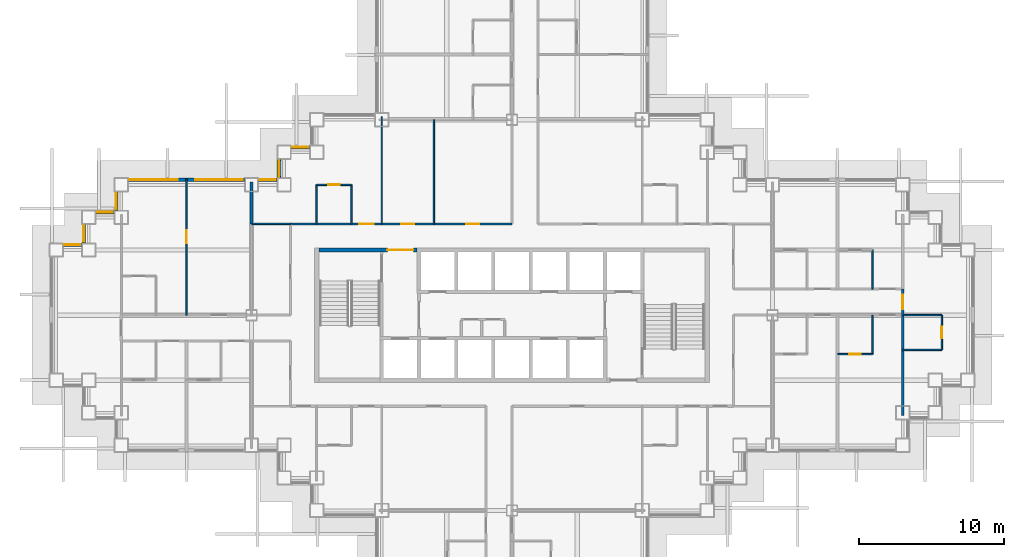
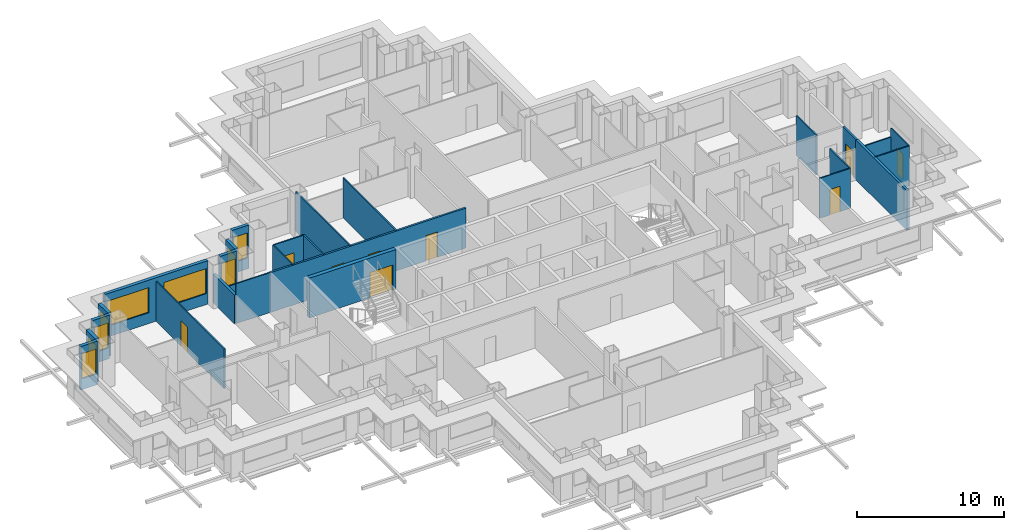
# One storey, part 7 of 15: 26 walls, 9 doors, 9 windows, 18 openings.
"""IFC4 building model written with IfcOpenShell, lengths in metres."""

import ifcopenshell
import ifcopenshell.guid

model = None  # the IFC model being written
_history = None  # IfcOwnerHistory: only IFC2X3 demands one
_inside = {}  # id of a spatial element -> (the spatial element, [elements in it])
_under = {}  # id of a project, library or spatial element -> (it, [spatial elements below it])
_declared = {}  # id of a project -> (the project, [libraries it declares])
_typed = {}  # id of a type object -> (the type object, [elements of that type])
_made_of = {}  # id of a material, layer set ... -> (it, [elements and type objects made of it])


def new_model(schema):
    """Start an empty IFC model of exactly this schema.

    Asked for "IFC4X3", IfcOpenShell would pick the latest addendum, in which some entities
    have other attributes; the version numbers below select the first issue.
    IFC2X3 requires an IfcOwnerHistory on every rooted entity: one is made here for all.
    """
    global model, _history
    if schema == "IFC4X3":
        model = ifcopenshell.file(schema_version=(4, 3, 0, 0))
    else:
        model = ifcopenshell.file(schema=schema)
    _inside.clear()
    _under.clear()
    _declared.clear()
    _typed.clear()
    _made_of.clear()
    _history = None
    if model.schema == "IFC2X3":
        org = make("IfcOrganization", Name="unknown")
        user = make(
            "IfcPersonAndOrganization",
            ThePerson=make("IfcPerson", FamilyName="unknown"),
            TheOrganization=org,
        )
        app = make(
            "IfcApplication",
            ApplicationDeveloper=org,
            Version="unknown",
            ApplicationFullName="unknown",
            ApplicationIdentifier="unknown",
        )
        _history = make(
            "IfcOwnerHistory",
            OwningUser=user,
            OwningApplication=app,
            ChangeAction="ADDED",
            CreationDate=0,
        )
    return model


def make(cls, **values):
    """One entity of the class cls with the attributes given. An attribute that is None is left unset."""
    return model.create_entity(
        cls, **{name: value for name, value in values.items() if value is not None}
    )


def rooted(cls, **values):
    """An entity with a GlobalId (a new one), such as an element, a storey or a relation."""
    return make(cls, GlobalId=ifcopenshell.guid.new(), OwnerHistory=_history, **values)


def si_unit(unit_type, name, prefix=None):
    """IfcSIUnit, for example si_unit("LENGTHUNIT", "METRE", prefix="MILLI")."""
    return make("IfcSIUnit", UnitType=unit_type, Prefix=prefix, Name=name)


def assignment(units):
    """IfcUnitAssignment: the units of a project."""
    return None if units is None else make("IfcUnitAssignment", Units=units)


def point(xyz):
    """IfcCartesianPoint."""
    return None if xyz is None else make("IfcCartesianPoint", Coordinates=xyz)


def direction(xyz):
    """IfcDirection."""
    return None if xyz is None else make("IfcDirection", DirectionRatios=xyz)


def frame(location, z_axis=None, x_axis=None):
    """IfcAxis2Placement3D, a coordinate frame: its origin and axes. An axis left out is left unset."""
    return make(
        "IfcAxis2Placement3D",
        Location=point(location),
        Axis=direction(z_axis),
        RefDirection=direction(x_axis),
    )


def frame_2d(location, x_axis=None):
    """IfcAxis2Placement2D, a coordinate frame in the plane: its origin and x axis."""
    return make(
        "IfcAxis2Placement2D", Location=point(location), RefDirection=direction(x_axis)
    )


def origin():
    """The frame at (0, 0, 0) with its axes left unset."""
    return frame((0.0, 0.0, 0.0))


def place(relative_to, where):
    """IfcLocalPlacement: puts the frame where relative to a parent placement (None: the world)."""
    return make(
        "IfcLocalPlacement", PlacementRelTo=relative_to, RelativePlacement=where
    )


def context(
    kind, dimensions, precision=None, world=None, true_north=None, identifier=None
):
    """IfcGeometricRepresentationContext, for example the 3D "Model" context."""
    return make(
        "IfcGeometricRepresentationContext",
        ContextIdentifier=identifier,
        ContextType=kind,
        CoordinateSpaceDimension=dimensions,
        Precision=precision,
        WorldCoordinateSystem=world,
        TrueNorth=true_north,
    )


def subcontext(parent, identifier, kind, view, scale=None):
    """IfcGeometricRepresentationSubContext, for example "Body" below "Model"."""
    return make(
        "IfcGeometricRepresentationSubContext",
        ContextIdentifier=identifier,
        ContextType=kind,
        ParentContext=parent,
        TargetScale=scale,
        TargetView=view,
    )


def project(units=None, contexts=None):
    """IfcProject with its units and contexts."""
    return rooted(
        "IfcProject",
        Name="project",
        RepresentationContexts=contexts,
        UnitsInContext=assignment(units),
    )


def spatial(cls, under=None, at=None, **own):
    """A site, building, storey or space (cls), placed at a placement, below another one or the project."""
    s = rooted(cls, ObjectPlacement=at, **own)
    if under is not None:
        _under.setdefault(under.id(), (under, []))[1].append(s)
    return s


def profile(cls, at=None, kind="AREA", **sizes):
    """A parametric profile (cls). Its sizes go by their IFC names, for example OverallWidth=200.0."""
    return make(cls, ProfileType=kind, Position=at, **sizes)


def rectangle(**sizes):
    """IfcRectangleProfileDef."""
    return profile("IfcRectangleProfileDef", **sizes)


def extrude(swept, where, along, depth):
    """IfcExtrudedAreaSolid: the profile swept, set in the frame where, extruded along a direction by depth."""
    return make(
        "IfcExtrudedAreaSolid",
        SweptArea=swept,
        Position=where,
        ExtrudedDirection=direction(along),
        Depth=depth,
    )


def shape(context_of_items, identifier, shape_type, items):
    """IfcShapeRepresentation: the items that make up one representation, for example the "Body"."""
    return make(
        "IfcShapeRepresentation",
        ContextOfItems=context_of_items,
        RepresentationIdentifier=identifier,
        RepresentationType=shape_type,
        Items=items,
    )


def material(Name=None, Category=None):
    """IfcMaterial."""
    return make("IfcMaterial", Name=Name, Category=Category)


def layer(
    of_material, thickness, ventilated=None, Name=None, Category=None, Priority=None
):
    """IfcMaterialLayer: one layer of a wall or slab, of a material (None: an air gap)."""
    return make(
        "IfcMaterialLayer",
        Material=of_material,
        LayerThickness=thickness,
        IsVentilated=ventilated,
        Name=Name,
        Category=Category,
        Priority=Priority,
    )


def layer_set(layers, Name=None):
    """IfcMaterialLayerSet."""
    return make("IfcMaterialLayerSet", MaterialLayers=layers, LayerSetName=Name)


def made_of(thing, what):
    """Note that an element or type object is made of a material, layer set ...; save() writes the relation."""
    if what is not None:
        _made_of.setdefault(what.id(), (what, []))[1].append(thing)
    return thing


def type_object(cls, material=None, **own):
    """A type object (cls), such as IfcWallType, which elements share."""
    return made_of(rooted(cls, **own), material)


def element(
    cls,
    number,
    at=None,
    inside=None,
    cuts=None,
    type_object=None,
    material=None,
    context=None,
    identifier="Body",
    shape_type=None,
    held_by="IfcProductDefinitionShape",
    body=None,
    shapes=None,
    **own,
):
    """One element of the class cls, such as IfcWall. Its Tag is "e" and its number.

    at: its placement. inside: the storey or other place that contains it. cuts: it is an
    opening in that element (IfcRelVoidsElement). A single representation is given by context,
    identifier, shape_type and body (its items); several are given by shapes. held_by: the class
    of the entity that holds the representations. save() writes the other relations.
    """
    e = rooted(cls, Tag="e%d" % number, ObjectPlacement=at, **own)
    if body is not None:
        shapes = [shape(context, identifier, shape_type, body)]
    if shapes is not None:
        e.Representation = make(held_by, Representations=shapes)
    if inside is not None:
        _inside.setdefault(inside.id(), (inside, []))[1].append(e)
    if cuts is not None:
        rooted(
            "IfcRelVoidsElement", RelatingBuildingElement=cuts, RelatedOpeningElement=e
        )
    if type_object is not None:
        _typed.setdefault(type_object.id(), (type_object, []))[1].append(e)
    return made_of(e, material)


def fill(opening, filler):
    """IfcRelFillsElement: the door or window that sits in an opening."""
    return rooted(
        "IfcRelFillsElement",
        RelatingOpeningElement=opening,
        RelatedBuildingElement=filler,
    )


def aggregate(whole, parts):
    """IfcRelAggregates: a whole, such as a stair, and the parts it consists of."""
    return rooted("IfcRelAggregates", RelatingObject=whole, RelatedObjects=parts)


def save(model, path):
    """Write the relations noted so far, then the file.

    IfcRelAggregates (storeys below a building ...), IfcRelContainedInSpatialStructure (elements
    in a storey), IfcRelDefinesByType, IfcRelAssociatesMaterial and IfcRelDeclares: one each for
    every whole, place, type object, material and project.
    """
    for whole, parts in _under.values():
        aggregate(whole, parts)
    for where, things in _inside.values():
        rooted(
            "IfcRelContainedInSpatialStructure",
            RelatedElements=things,
            RelatingStructure=where,
        )
    for kind, things in _typed.values():
        rooted("IfcRelDefinesByType", RelatedObjects=things, RelatingType=kind)
    for what, things in _made_of.values():
        rooted("IfcRelAssociatesMaterial", RelatedObjects=things, RelatingMaterial=what)
    for by, libraries in _declared.values():
        rooted("IfcRelDeclares", RelatingContext=by, RelatedDefinitions=libraries)
    model.write(path)


model = new_model("IFC4")

# Units and contexts
model_context = context("Model", 3, precision=1e-05, world=origin(), true_north=direction((0.0, 1.0)))
body_context = subcontext(model_context, "Body", "Model", "MODEL_VIEW")
ifc_project = project(units=[si_unit("LENGTHUNIT", "METRE"), si_unit("AREAUNIT", "SQUARE_METRE"), si_unit("VOLUMEUNIT", "CUBIC_METRE"), si_unit("PLANEANGLEUNIT", "RADIAN"), si_unit("MASSUNIT", "GRAM", prefix="KILO")], contexts=[model_context])

# Site, building, storey
site_placement = place(None, origin())
site = spatial("IfcSite", under=ifc_project, at=site_placement, CompositionType="ELEMENT")
building_placement = place(site_placement, origin())
building = spatial("IfcBuilding", under=site, at=building_placement, Name="Caravel Reach Hotel and Residences", CompositionType="ELEMENT")
storey_placement = place(building_placement, frame((0.0, 0.0, 81.60009765625)))
storey = spatial("IfcBuildingStorey", under=building, at=storey_placement, Name="L19", CompositionType="ELEMENT", Elevation=81.60009765625)

# Wall, opening, door
ifc_material_1 = material(Name="Gypsum board on steel stud", Category="steel")
ifc_layer_1 = layer(ifc_material_1, 0.10009765625)
ifc_layer_set_1 = layer_set([ifc_layer_1], Name="Bathroom pod wall 100 mm")
wall_type_1 = type_object("IfcWallType", Name="Bathroom pod wall 100 mm", PredefinedType="PARTITIONING", material=ifc_layer_set_1)
wall_1_placement = place(storey_placement, frame((54.0, 24.300048828125, 0.0), z_axis=(0.0, 0.0, 1.0), x_axis=(1.0, 0.0, 0.0)))
wall_1 = element("IfcWall", 1, at=wall_1_placement, inside=storey, type_object=wall_type_1, Name="L19 wall w089", PredefinedType="PARTITIONING", context=body_context, shape_type="SweptSolid", body=[
    extrude(rectangle(XDim=2.39990234375, YDim=0.10009765625, at=frame_2d((1.199951171875, 0.0))), origin(), (0.0, 0.0, 1.0), 3.2998046875),
])
opening_1_placement = place(wall_1_placement, frame((0.800048828125, 0.0, 0.0)))
opening_1 = element("IfcOpeningElement", 2, at=opening_1_placement, cuts=wall_1, Name="Opening D19-026", PredefinedType="OPENING", context=body_context, shape_type="SweptSolid", body=[
    extrude(rectangle(XDim=0.800048828125, YDim=2.10009765625, at=frame_2d((0.39990234375, 1.050048828125))), frame((0.0, 0.06005859375, 0.0), z_axis=(0.0, -1.0, 0.0), x_axis=(1.0, 0.0, 0.0)), (0.0, 0.0, 1.0), 0.1201171875),
])
ifc_material_2 = material(Name="Timber and steel door leaf", Category="steel")
door_type_1 = type_object("IfcDoorType", Name="Bathroom door 800 x 2100", OperationType="SINGLE_SWING_LEFT", PredefinedType="DOOR", material=ifc_material_2)
door_1_placement = place(opening_1_placement, origin())
door_1 = element("IfcDoor", 3, at=door_1_placement, inside=storey, type_object=door_type_1, Name="door D19-026", OperationType="SINGLE_SWING_LEFT", OverallHeight=2.10009765625, OverallWidth=0.800048828125, PredefinedType="DOOR", context=body_context, shape_type="SweptSolid", body=[
    extrude(rectangle(XDim=0.800048828125, YDim=2.10009765625, at=frame_2d((0.39990234375, 1.050048828125))), frame((0.0, 0.02490234375, 0.0), z_axis=(0.0, -1.0, 0.0), x_axis=(1.0, 0.0, 0.0)), (0.0, 0.0, 1.0), 0.050048828125),
])
fill(opening_1, door_1)

# Walls
wall_2_placement = place(storey_placement, frame((58.5, 24.60009765625, 0.0), z_axis=(0.0, 0.0, 1.0), x_axis=(1.0, 0.0, 0.0)))
element("IfcWall", 4, at=wall_2_placement, inside=storey, type_object=wall_type_1, Name="L19 wall w090", PredefinedType="PARTITIONING", context=body_context, shape_type="SweptSolid", body=[
    extrude(rectangle(XDim=2.699951171875, YDim=0.10009765625, at=frame_2d((1.35009765625, 0.0))), origin(), (0.0, 0.0, 1.0), 3.2998046875),
])
wall_3_placement = place(storey_placement, frame((58.5, 27.0, 0.0), z_axis=(0.0, 0.0, 1.0), x_axis=(1.0, 0.0, 0.0)))
element("IfcWall", 5, at=wall_3_placement, inside=storey, type_object=wall_type_1, Name="L19 wall w091", PredefinedType="PARTITIONING", context=body_context, shape_type="SweptSolid", body=[
    extrude(rectangle(XDim=2.699951171875, YDim=0.10009765625, at=frame_2d((1.35009765625, 0.0))), origin(), (0.0, 0.0, 1.0), 2.579833984375),
])

# Wall, opening, door
wall_4_placement = place(storey_placement, frame((18.0, 36.0, 0.0), z_axis=(0.0, 0.0, 1.0), x_axis=(1.0, 0.0, 0.0)))
wall_4 = element("IfcWall", 6, at=wall_4_placement, inside=storey, type_object=wall_type_1, Name="L19 wall w095", PredefinedType="PARTITIONING", context=body_context, shape_type="SweptSolid", body=[
    extrude(rectangle(XDim=2.39990234375, YDim=0.10009765625, at=frame_2d((1.199951171875, 0.0))), origin(), (0.0, 0.0, 1.0), 3.2998046875),
])
opening_2_placement = place(wall_4_placement, frame((0.800048828125, 0.0, 0.0)))
opening_2 = element("IfcOpeningElement", 7, at=opening_2_placement, cuts=wall_4, Name="Opening D19-048", PredefinedType="OPENING", context=body_context, shape_type="SweptSolid", body=[
    extrude(rectangle(XDim=0.800048828125, YDim=2.10009765625, at=frame_2d((0.39990234375, 1.050048828125))), frame((0.0, 0.06005859375, 0.0), z_axis=(0.0, -1.0, 0.0), x_axis=(1.0, 0.0, 0.0)), (0.0, 0.0, 1.0), 0.1201171875),
])
door_2_placement = place(opening_2_placement, origin())
door_2 = element("IfcDoor", 8, at=door_2_placement, inside=storey, type_object=door_type_1, Name="door D19-048", OperationType="SINGLE_SWING_LEFT", OverallHeight=2.10009765625, OverallWidth=0.800048828125, PredefinedType="DOOR", context=body_context, shape_type="SweptSolid", body=[
    extrude(rectangle(XDim=0.800048828125, YDim=2.10009765625, at=frame_2d((0.39990234375, 1.050048828125))), frame((0.0, 0.02490234375, 0.0), z_axis=(0.0, -1.0, 0.0), x_axis=(1.0, 0.0, 0.0)), (0.0, 0.0, 1.0), 0.050048828125),
])
fill(opening_2, door_2)

# Walls
for number, where, z_axis, x_axis, name in (
    (9, (18.0, 33.300048828125, 0.0), (0.0, 0.0, 1.0), (0.0, 1.0, 0.0), "L19 wall w101"),
    (10, (20.39990234375, 33.300048828125, 0.0), (0.0, 0.0, 1.0), (0.0, 1.0, 0.0), "L19 wall w102"),
    (11, (56.39990234375, 28.800048828125, 0.0), (0.0, 0.0, 1.0), (0.0, 1.0, 0.0), "L19 wall w113"),
    (12, (56.39990234375, 24.300048828125, 0.0), (0.0, 0.0, 1.0), (0.0, 1.0, 0.0), "L19 wall w114"),
):
    element("IfcWall", number, at=place(storey_placement, frame(where, z_axis=z_axis, x_axis=x_axis)), inside=storey, type_object=wall_type_1, Name=name, PredefinedType="PARTITIONING", context=body_context, shape_type="SweptSolid", body=[
        extrude(rectangle(XDim=2.699951171875, YDim=0.10009765625, at=frame_2d((1.35009765625, 0.0))), origin(), (0.0, 0.0, 1.0), 3.2998046875),
    ])

# Wall, opening, door
wall_5_placement = place(storey_placement, frame((61.199951171875, 24.60009765625, 0.0), z_axis=(0.0, 0.0, 1.0), x_axis=(0.0, 1.0, 0.0)))
wall_5 = element("IfcWall", 13, at=wall_5_placement, inside=storey, type_object=wall_type_1, Name="L19 wall w117", PredefinedType="PARTITIONING", context=body_context, shape_type="SweptSolid", body=[
    extrude(rectangle(XDim=2.39990234375, YDim=0.10009765625, at=frame_2d((1.199951171875, 0.0))), origin(), (0.0, 0.0, 1.0), 3.2998046875),
])
opening_3_placement = place(wall_5_placement, frame((0.800048828125, 0.0, 0.0)))
opening_3 = element("IfcOpeningElement", 14, at=opening_3_placement, cuts=wall_5, Name="Opening D19-044", PredefinedType="OPENING", context=body_context, shape_type="SweptSolid", body=[
    extrude(rectangle(XDim=0.800048828125, YDim=2.10009765625, at=frame_2d((0.39990234375, 1.050048828125))), frame((0.0, 0.06005859375, 0.0), z_axis=(0.0, -1.0, 0.0), x_axis=(1.0, 0.0, 0.0)), (0.0, 0.0, 1.0), 0.1201171875),
])
door_3_placement = place(opening_3_placement, origin())
door_3 = element("IfcDoor", 15, at=door_3_placement, inside=storey, type_object=door_type_1, Name="door D19-044", OperationType="SINGLE_SWING_RIGHT", OverallHeight=2.10009765625, OverallWidth=0.800048828125, PredefinedType="DOOR", context=body_context, shape_type="SweptSolid", body=[
    extrude(rectangle(XDim=0.800048828125, YDim=2.10009765625, at=frame_2d((0.39990234375, 1.050048828125))), frame((0.0, 0.02490234375, 0.0), z_axis=(0.0, -1.0, 0.0), x_axis=(1.0, 0.0, 0.0)), (0.0, 0.0, 1.0), 0.050048828125),
])
fill(opening_3, door_3)

ifc_material_3 = material(Name="Concrete C60", Category="concrete")
ifc_layer_2 = layer(ifc_material_3, 0.300048828125)
ifc_layer_set_2 = layer_set([ifc_layer_2], Name="Core wall 300 mm EI 120")
wall_type_2 = type_object("IfcWallType", Name="Core wall 300 mm EI 120", PredefinedType="SHEAR", material=ifc_layer_set_2)
wall_6_placement = place(storey_placement, frame((18.14990234375, 31.5, 0.0), z_axis=(0.0, 0.0, 1.0), x_axis=(1.0, 0.0, 0.0)))
wall_6 = element("IfcWall", 16, at=wall_6_placement, inside=storey, type_object=wall_type_2, Name="L19 core wall N1", PredefinedType="SHEAR", context=body_context, shape_type="SweptSolid", body=[
    extrude(rectangle(XDim=6.796630859375, YDim=0.300048828125, at=frame_2d((3.3984375, 0.0))), origin(), (0.0, 0.0, 1.0), 3.2998046875),
])
opening_4_placement = place(wall_6_placement, frame((4.735595703125, 0.0, 0.0)))
opening_4 = element("IfcOpeningElement", 17, at=opening_4_placement, cuts=wall_6, Name="Opening D19-014", PredefinedType="OPENING", context=body_context, shape_type="SweptSolid", body=[
    extrude(rectangle(XDim=1.800048828125, YDim=2.10009765625, at=frame_2d((0.89990234375, 1.050048828125))), frame((0.0, 0.159912109375, 0.0), z_axis=(0.0, -1.0, 0.0), x_axis=(1.0, 0.0, 0.0)), (0.0, 0.0, 1.0), 0.320068359375),
])
ifc_material_4 = material(Name="Steel fire door leaf", Category="steel")
door_type_2 = type_object("IfcDoorType", Name="Fire lobby door pair 1800 x 2100 EI 90", OperationType="DOUBLE_DOOR_SINGLE_SWING", PredefinedType="DOOR", material=ifc_material_4)
door_4_placement = place(opening_4_placement, origin())
door_4 = element("IfcDoor", 18, at=door_4_placement, inside=storey, type_object=door_type_2, Name="lobby N door pair to corridor", OperationType="DOUBLE_DOOR_SINGLE_SWING", OverallHeight=2.10009765625, OverallWidth=1.800048828125, PredefinedType="DOOR", context=body_context, shape_type="SweptSolid", body=[
    extrude(rectangle(XDim=1.800048828125, YDim=2.10009765625, at=frame_2d((0.89990234375, 1.050048828125))), frame((0.0, 0.02490234375, 0.0), z_axis=(0.0, -1.0, 0.0), x_axis=(1.0, 0.0, 0.0)), (0.0, 0.0, 1.0), 0.050048828125),
])
fill(opening_4, door_4)

# Wall, openings, doors
ifc_material_5 = material(Name="Gypsum board on steel stud, fire-rated", Category="steel")
ifc_layer_3 = layer(ifc_material_5, 0.14990234375)
ifc_layer_set_3 = layer_set([ifc_layer_3], Name="Corridor wall 150 mm EI 60")
wall_type_3 = type_object("IfcWallType", Name="Corridor wall 150 mm EI 60", PredefinedType="PARTITIONING", material=ifc_layer_set_3)
wall_7_placement = place(storey_placement, frame((16.199951171875, 33.300048828125, 0.0), z_axis=(0.0, 0.0, 1.0), x_axis=(1.0, 0.0, 0.0)))
wall_7 = element("IfcWall", 19, at=wall_7_placement, inside=storey, type_object=wall_type_3, Name="L19 wall w019", PredefinedType="PARTITIONING", context=body_context, shape_type="SweptSolid", body=[
    extrude(rectangle(XDim=15.300048828125, YDim=0.14990234375, at=frame_2d((7.64990234375, 0.0))), origin(), (0.0, 0.0, 1.0), 3.2998046875),
])
opening_5_placement = place(wall_7_placement, frame((4.75, 0.0, 0.0)))
opening_5 = element("IfcOpeningElement", 20, at=opening_5_placement, cuts=wall_7, Name="Opening D19-047", PredefinedType="OPENING", context=body_context, shape_type="SweptSolid", body=[
    extrude(rectangle(XDim=1.0, YDim=2.10009765625, at=frame_2d((0.5, 1.050048828125))), frame((0.0, 0.0849609375, 0.0), z_axis=(0.0, -1.0, 0.0), x_axis=(1.0, 0.0, 0.0)), (0.0, 0.0, 1.0), 0.169921875),
])
opening_6_placement = place(wall_7_placement, frame((7.650146484375, 0.0, 0.0)))
opening_6 = element("IfcOpeningElement", 21, at=opening_6_placement, cuts=wall_7, Name="Opening D19-058", PredefinedType="OPENING", context=body_context, shape_type="SweptSolid", body=[
    extrude(rectangle(XDim=0.89990234375, YDim=2.10009765625, at=frame_2d((0.449951171875, 1.050048828125))), frame((0.0, 0.0849609375, 0.0), z_axis=(0.0, -1.0, 0.0), x_axis=(1.0, 0.0, 0.0)), (0.0, 0.0, 1.0), 0.169921875),
])
opening_7_placement = place(wall_7_placement, frame((12.14990234375, 0.0, 0.0)))
opening_7 = element("IfcOpeningElement", 22, at=opening_7_placement, cuts=wall_7, Name="Opening D19-059", PredefinedType="OPENING", context=body_context, shape_type="SweptSolid", body=[
    extrude(rectangle(XDim=0.89990234375, YDim=2.10009765625, at=frame_2d((0.449951171875, 1.050048828125))), frame((0.0, 0.0849609375, 0.0), z_axis=(0.0, -1.0, 0.0), x_axis=(1.0, 0.0, 0.0)), (0.0, 0.0, 1.0), 0.169921875),
])
ifc_material_6 = material(Name="Timber and steel door leaf", Category="steel")
door_type_3 = type_object("IfcDoorType", Name="Door 900 x 2100 timber", OperationType="SINGLE_SWING_LEFT", PredefinedType="DOOR", material=ifc_material_6)
door_5_placement = place(opening_6_placement, origin())
door_5 = element("IfcDoor", 23, at=door_5_placement, inside=storey, type_object=door_type_3, Name="door D19-058", OperationType="SINGLE_SWING_LEFT", OverallHeight=2.10009765625, OverallWidth=0.89990234375, PredefinedType="DOOR", context=body_context, shape_type="SweptSolid", body=[
    extrude(rectangle(XDim=0.89990234375, YDim=2.10009765625, at=frame_2d((0.449951171875, 1.050048828125))), frame((0.0, 0.02490234375, 0.0), z_axis=(0.0, -1.0, 0.0), x_axis=(1.0, 0.0, 0.0)), (0.0, 0.0, 1.0), 0.050048828125),
])
fill(opening_6, door_5)
door_6_placement = place(opening_7_placement, origin())
door_6 = element("IfcDoor", 24, at=door_6_placement, inside=storey, type_object=door_type_3, Name="door D19-059", OperationType="SINGLE_SWING_RIGHT", OverallHeight=2.10009765625, OverallWidth=0.89990234375, PredefinedType="DOOR", context=body_context, shape_type="SweptSolid", body=[
    extrude(rectangle(XDim=0.89990234375, YDim=2.10009765625, at=frame_2d((0.449951171875, 1.050048828125))), frame((0.0, 0.02490234375, 0.0), z_axis=(0.0, -1.0, 0.0), x_axis=(1.0, 0.0, 0.0)), (0.0, 0.0, 1.0), 0.050048828125),
])
fill(opening_7, door_6)
ifc_material_7 = material(Name="Steel fire door leaf", Category="steel")
door_type_4 = type_object("IfcDoorType", Name="Guest room door 1000 x 2100 EI 30", OperationType="SINGLE_SWING_LEFT", PredefinedType="DOOR", material=ifc_material_7)
door_7_placement = place(opening_5_placement, origin())
door_7 = element("IfcDoor", 25, at=door_7_placement, inside=storey, type_object=door_type_4, Name="door D19-047", OperationType="SINGLE_SWING_RIGHT", OverallHeight=2.10009765625, OverallWidth=1.0, PredefinedType="DOOR", context=body_context, shape_type="SweptSolid", body=[
    extrude(rectangle(XDim=1.0, YDim=2.10009765625, at=frame_2d((0.5, 1.050048828125))), frame((0.0, 0.02490234375, 0.0), z_axis=(0.0, -1.0, 0.0), x_axis=(1.0, 0.0, 0.0)), (0.0, 0.0, 1.0), 0.050048828125),
])
fill(opening_5, door_7)

# Wall, opening, door
wall_8_placement = place(storey_placement, frame((58.5, 27.0, 0.0), z_axis=(0.0, 0.0, 1.0), x_axis=(0.0, 1.0, 0.0)))
wall_8 = element("IfcWall", 26, at=wall_8_placement, inside=storey, type_object=wall_type_3, Name="L19 wall w042", PredefinedType="PARTITIONING", context=body_context, shape_type="SweptSolid", body=[
    extrude(rectangle(XDim=1.800048828125, YDim=0.14990234375, at=frame_2d((0.89990234375, 0.0))), origin(), (0.0, 0.0, 1.0), 3.2998046875),
])
opening_8_placement = place(wall_8_placement, frame((0.39990234375, 0.0, 0.0)))
opening_8 = element("IfcOpeningElement", 27, at=opening_8_placement, cuts=wall_8, Name="Opening D19-043", PredefinedType="OPENING", context=body_context, shape_type="SweptSolid", body=[
    extrude(rectangle(XDim=1.0, YDim=2.10009765625, at=frame_2d((0.5, 1.050048828125))), frame((0.0, 0.0849609375, 0.0), z_axis=(0.0, -1.0, 0.0), x_axis=(1.0, 0.0, 0.0)), (0.0, 0.0, 1.0), 0.169921875),
])
door_8_placement = place(opening_8_placement, origin())
door_8 = element("IfcDoor", 28, at=door_8_placement, inside=storey, type_object=door_type_4, Name="door D19-043", OperationType="SINGLE_SWING_RIGHT", OverallHeight=2.10009765625, OverallWidth=1.0, PredefinedType="DOOR", context=body_context, shape_type="SweptSolid", body=[
    extrude(rectangle(XDim=1.0, YDim=2.10009765625, at=frame_2d((0.5, 1.050048828125))), frame((0.0, 0.02490234375, 0.0), z_axis=(0.0, -1.0, 0.0), x_axis=(1.0, 0.0, 0.0)), (0.0, 0.0, 1.0), 0.050048828125),
])
fill(opening_8, door_8)

# Wall, opening, window
ifc_material_8 = material(Name="Insulated rainscreen wall, aluminium cladding", Category="aluminium")
ifc_layer_4 = layer(ifc_material_8, 0.25)
ifc_layer_set_4 = layer_set([ifc_layer_4], Name="EW1 Tower rainscreen wall")
wall_type_4 = type_object("IfcWallType", Name="EW1 Tower rainscreen wall", PredefinedType="SOLIDWALL", material=ifc_layer_set_4)
wall_9_placement = place(storey_placement, frame((17.52490234375, 38.60009765625, 0.0), z_axis=(0.0, 0.0, 1.0), x_axis=(-1.0, 0.0, 0.0)))
wall_9 = element("IfcWall", 29, at=wall_9_placement, inside=storey, type_object=wall_type_4, Name="External wall L19 N43.1", PredefinedType="SOLIDWALL", context=body_context, shape_type="SweptSolid", body=[
    extrude(rectangle(XDim=1.2998046875, YDim=0.25, at=frame_2d((0.64990234375, 0.0))), origin(), (0.0, 0.0, 1.0), 3.599853515625),
])
opening_9_placement = place(wall_9_placement, frame((0.10009765625, 0.0, 0.89990234375)))
opening_9 = element("IfcOpeningElement", 30, at=opening_9_placement, cuts=wall_9, Name="Opening WN5", PredefinedType="OPENING", context=body_context, shape_type="SweptSolid", body=[
    extrude(rectangle(XDim=1.10009765625, YDim=2.080078125, at=frame_2d((0.550048828125, 1.0400390625))), frame((0.0, 0.135009765625, 0.0), z_axis=(0.0, -1.0, 0.0), x_axis=(1.0, 0.0, 0.0)), (0.0, 0.0, 1.0), 0.27001953125),
])
ifc_material_9 = material(Name="Dark low-e glazing in black aluminium frame", Category="aluminium")
window_type_1 = type_object("IfcWindowType", Name="Hotel suite corner window 1100 x 2080", PartitioningType="SINGLE_PANEL", PredefinedType="WINDOW", material=ifc_material_9)
window_1_placement = place(opening_9_placement, origin())
window_1 = element("IfcWindow", 31, at=window_1_placement, inside=storey, type_object=window_type_1, Name="Window L19 N43.1.1", OverallHeight=2.080078125, OverallWidth=1.10009765625, PartitioningType="SINGLE_PANEL", PredefinedType="WINDOW", context=body_context, shape_type="SweptSolid", body=[
    extrude(rectangle(XDim=1.10009765625, YDim=2.080078125, at=frame_2d((0.550048828125, 1.0400390625))), frame((0.0, 0.030029296875, 0.0), z_axis=(0.0, -1.0, 0.0), x_axis=(1.0, 0.0, 0.0)), (0.0, 0.0, 1.0), 0.06005859375),
])
fill(opening_9, window_1)

wall_10_placement = place(storey_placement, frame((15.39990234375, 37.77490234375, 0.0), z_axis=(0.0, 0.0, 1.0), x_axis=(0.0, -1.0, 0.0)))
wall_10 = element("IfcWall", 32, at=wall_10_placement, inside=storey, type_object=wall_type_4, Name="External wall L19 W44.1", PredefinedType="SOLIDWALL", context=body_context, shape_type="SweptSolid", body=[
    extrude(rectangle(XDim=1.2998046875, YDim=0.25, at=frame_2d((0.64990234375, 0.0))), origin(), (0.0, 0.0, 1.0), 3.599853515625),
])
opening_10_placement = place(wall_10_placement, frame((0.10009765625, 0.0, 0.89990234375)))
opening_10 = element("IfcOpeningElement", 33, at=opening_10_placement, cuts=wall_10, Name="Opening WN5", PredefinedType="OPENING", context=body_context, shape_type="SweptSolid", body=[
    extrude(rectangle(XDim=1.10009765625, YDim=2.080078125, at=frame_2d((0.550048828125, 1.0400390625))), frame((0.0, 0.135009765625, 0.0), z_axis=(0.0, -1.0, 0.0), x_axis=(1.0, 0.0, 0.0)), (0.0, 0.0, 1.0), 0.27001953125),
])
window_2_placement = place(opening_10_placement, origin())
window_2 = element("IfcWindow", 34, at=window_2_placement, inside=storey, type_object=window_type_1, Name="Window L19 W44.1.1", OverallHeight=2.080078125, OverallWidth=1.10009765625, PartitioningType="SINGLE_PANEL", PredefinedType="WINDOW", context=body_context, shape_type="SweptSolid", body=[
    extrude(rectangle(XDim=1.10009765625, YDim=2.080078125, at=frame_2d((0.550048828125, 1.0400390625))), frame((0.0, 0.030029296875, 0.0), z_axis=(0.0, -1.0, 0.0), x_axis=(1.0, 0.0, 0.0)), (0.0, 0.0, 1.0), 0.06005859375),
])
fill(opening_10, window_2)

wall_11_placement = place(storey_placement, frame((15.27490234375, 36.35009765625, 0.0), z_axis=(0.0, 0.0, 1.0), x_axis=(-1.0, 0.0, 0.0)))
wall_11 = element("IfcWall", 35, at=wall_11_placement, inside=storey, type_object=wall_type_4, Name="External wall L19 N45.1", PredefinedType="SOLIDWALL", context=body_context, shape_type="SweptSolid", body=[
    extrude(rectangle(XDim=1.2998046875, YDim=0.25, at=frame_2d((0.64990234375, 0.0))), origin(), (0.0, 0.0, 1.0), 3.599853515625),
])
opening_11_placement = place(wall_11_placement, frame((0.10009765625, 0.0, 0.89990234375)))
opening_11 = element("IfcOpeningElement", 36, at=opening_11_placement, cuts=wall_11, Name="Opening WN5", PredefinedType="OPENING", context=body_context, shape_type="SweptSolid", body=[
    extrude(rectangle(XDim=1.10009765625, YDim=2.080078125, at=frame_2d((0.550048828125, 1.0400390625))), frame((0.0, 0.135009765625, 0.0), z_axis=(0.0, -1.0, 0.0), x_axis=(1.0, 0.0, 0.0)), (0.0, 0.0, 1.0), 0.27001953125),
])
window_3_placement = place(opening_11_placement, origin())
window_3 = element("IfcWindow", 37, at=window_3_placement, inside=storey, type_object=window_type_1, Name="Window L19 N45.1.1", OverallHeight=2.080078125, OverallWidth=1.10009765625, PartitioningType="SINGLE_PANEL", PredefinedType="WINDOW", context=body_context, shape_type="SweptSolid", body=[
    extrude(rectangle(XDim=1.10009765625, YDim=2.080078125, at=frame_2d((0.550048828125, 1.0400390625))), frame((0.0, 0.030029296875, 0.0), z_axis=(0.0, -1.0, 0.0), x_axis=(1.0, 0.0, 0.0)), (0.0, 0.0, 1.0), 0.06005859375),
])
fill(opening_11, window_3)

# Wall, openings, windows
wall_12_placement = place(storey_placement, frame((13.02490234375, 36.35009765625, 0.0), z_axis=(0.0, 0.0, 1.0), x_axis=(-1.0, 0.0, 0.0)))
wall_12 = element("IfcWall", 38, at=wall_12_placement, inside=storey, type_object=wall_type_4, Name="External wall L19 N45.2", PredefinedType="SOLIDWALL", context=body_context, shape_type="SweptSolid", body=[
    extrude(rectangle(XDim=8.0498046875, YDim=0.25, at=frame_2d((4.02490234375, 0.0))), origin(), (0.0, 0.0, 1.0), 3.599853515625),
])
opening_12_placement = place(wall_12_placement, frame((0.125, 0.0, 0.89990234375)))
opening_12 = element("IfcOpeningElement", 39, at=opening_12_placement, cuts=wall_12, Name="Opening WN4", PredefinedType="OPENING", context=body_context, shape_type="SweptSolid", body=[
    extrude(rectangle(XDim=3.300048828125, YDim=2.080078125, at=frame_2d((1.64990234375, 1.0400390625))), frame((0.0, 0.135009765625, 0.0), z_axis=(0.0, -1.0, 0.0), x_axis=(1.0, 0.0, 0.0)), (0.0, 0.0, 1.0), 0.27001953125),
])
opening_13_placement = place(wall_12_placement, frame((4.625, 0.0, 0.89990234375)))
opening_13 = element("IfcOpeningElement", 40, at=opening_13_placement, cuts=wall_12, Name="Opening WN4", PredefinedType="OPENING", context=body_context, shape_type="SweptSolid", body=[
    extrude(rectangle(XDim=3.300048828125, YDim=2.080078125, at=frame_2d((1.64990234375, 1.0400390625))), frame((0.0, 0.135009765625, 0.0), z_axis=(0.0, -1.0, 0.0), x_axis=(1.0, 0.0, 0.0)), (0.0, 0.0, 1.0), 0.27001953125),
])
ifc_material_10 = material(Name="Dark low-e glazing in black aluminium frame", Category="aluminium")
window_type_2 = type_object("IfcWindowType", Name="Hotel guest room window 3300 x 2080", PartitioningType="SINGLE_PANEL", PredefinedType="WINDOW", material=ifc_material_10)
window_4_placement = place(opening_12_placement, origin())
window_4 = element("IfcWindow", 41, at=window_4_placement, inside=storey, type_object=window_type_2, Name="Window L19 N45.2.1", OverallHeight=2.080078125, OverallWidth=3.300048828125, PartitioningType="SINGLE_PANEL", PredefinedType="WINDOW", context=body_context, shape_type="SweptSolid", body=[
    extrude(rectangle(XDim=3.300048828125, YDim=2.080078125, at=frame_2d((1.64990234375, 1.0400390625))), frame((0.0, 0.030029296875, 0.0), z_axis=(0.0, -1.0, 0.0), x_axis=(1.0, 0.0, 0.0)), (0.0, 0.0, 1.0), 0.06005859375),
])
fill(opening_12, window_4)
window_5_placement = place(opening_13_placement, origin())
window_5 = element("IfcWindow", 42, at=window_5_placement, inside=storey, type_object=window_type_2, Name="Window L19 N45.2.2", OverallHeight=2.080078125, OverallWidth=3.300048828125, PartitioningType="SINGLE_PANEL", PredefinedType="WINDOW", context=body_context, shape_type="SweptSolid", body=[
    extrude(rectangle(XDim=3.300048828125, YDim=2.080078125, at=frame_2d((1.64990234375, 1.0400390625))), frame((0.0, 0.030029296875, 0.0), z_axis=(0.0, -1.0, 0.0), x_axis=(1.0, 0.0, 0.0)), (0.0, 0.0, 1.0), 0.06005859375),
])
fill(opening_13, window_5)

# Wall, opening, window
wall_13_placement = place(storey_placement, frame((4.14990234375, 35.52490234375, 0.0), z_axis=(0.0, 0.0, 1.0), x_axis=(0.0, -1.0, 0.0)))
wall_13 = element("IfcWall", 43, at=wall_13_placement, inside=storey, type_object=wall_type_4, Name="External wall L19 W46.1", PredefinedType="SOLIDWALL", context=body_context, shape_type="SweptSolid", body=[
    extrude(rectangle(XDim=1.2998046875, YDim=0.25, at=frame_2d((0.64990234375, 0.0))), origin(), (0.0, 0.0, 1.0), 3.599853515625),
])
opening_14_placement = place(wall_13_placement, frame((0.10009765625, 0.0, 0.89990234375)))
opening_14 = element("IfcOpeningElement", 44, at=opening_14_placement, cuts=wall_13, Name="Opening WN5", PredefinedType="OPENING", context=body_context, shape_type="SweptSolid", body=[
    extrude(rectangle(XDim=1.10009765625, YDim=2.080078125, at=frame_2d((0.550048828125, 1.0400390625))), frame((0.0, 0.135009765625, 0.0), z_axis=(0.0, -1.0, 0.0), x_axis=(1.0, 0.0, 0.0)), (0.0, 0.0, 1.0), 0.27001953125),
])
window_6_placement = place(opening_14_placement, origin())
window_6 = element("IfcWindow", 45, at=window_6_placement, inside=storey, type_object=window_type_1, Name="Window L19 W46.1.1", OverallHeight=2.080078125, OverallWidth=1.10009765625, PartitioningType="SINGLE_PANEL", PredefinedType="WINDOW", context=body_context, shape_type="SweptSolid", body=[
    extrude(rectangle(XDim=1.10009765625, YDim=2.080078125, at=frame_2d((0.550048828125, 1.0400390625))), frame((0.0, 0.030029296875, 0.0), z_axis=(0.0, -1.0, 0.0), x_axis=(1.0, 0.0, 0.0)), (0.0, 0.0, 1.0), 0.06005859375),
])
fill(opening_14, window_6)

wall_14_placement = place(storey_placement, frame((4.02490234375, 34.10009765625, 0.0), z_axis=(0.0, 0.0, 1.0), x_axis=(-1.0, 0.0, 0.0)))
wall_14 = element("IfcWall", 46, at=wall_14_placement, inside=storey, type_object=wall_type_4, Name="External wall L19 N47.1", PredefinedType="SOLIDWALL", context=body_context, shape_type="SweptSolid", body=[
    extrude(rectangle(XDim=1.2998046875, YDim=0.25, at=frame_2d((0.64990234375, 0.0))), origin(), (0.0, 0.0, 1.0), 3.599853515625),
])
opening_15_placement = place(wall_14_placement, frame((0.10009765625, 0.0, 0.89990234375)))
opening_15 = element("IfcOpeningElement", 47, at=opening_15_placement, cuts=wall_14, Name="Opening WN5", PredefinedType="OPENING", context=body_context, shape_type="SweptSolid", body=[
    extrude(rectangle(XDim=1.10009765625, YDim=2.080078125, at=frame_2d((0.550048828125, 1.0400390625))), frame((0.0, 0.135009765625, 0.0), z_axis=(0.0, -1.0, 0.0), x_axis=(1.0, 0.0, 0.0)), (0.0, 0.0, 1.0), 0.27001953125),
])
window_7_placement = place(opening_15_placement, origin())
window_7 = element("IfcWindow", 48, at=window_7_placement, inside=storey, type_object=window_type_1, Name="Window L19 N47.1.1", OverallHeight=2.080078125, OverallWidth=1.10009765625, PartitioningType="SINGLE_PANEL", PredefinedType="WINDOW", context=body_context, shape_type="SweptSolid", body=[
    extrude(rectangle(XDim=1.10009765625, YDim=2.080078125, at=frame_2d((0.550048828125, 1.0400390625))), frame((0.0, 0.030029296875, 0.0), z_axis=(0.0, -1.0, 0.0), x_axis=(1.0, 0.0, 0.0)), (0.0, 0.0, 1.0), 0.06005859375),
])
fill(opening_15, window_7)

wall_15_placement = place(storey_placement, frame((1.89990234375, 33.27490234375, 0.0), z_axis=(0.0, 0.0, 1.0), x_axis=(0.0, -1.0, 0.0)))
wall_15 = element("IfcWall", 49, at=wall_15_placement, inside=storey, type_object=wall_type_4, Name="External wall L19 W48.1", PredefinedType="SOLIDWALL", context=body_context, shape_type="SweptSolid", body=[
    extrude(rectangle(XDim=1.2998046875, YDim=0.25, at=frame_2d((0.64990234375, 0.0))), origin(), (0.0, 0.0, 1.0), 3.599853515625),
])
opening_16_placement = place(wall_15_placement, frame((0.10009765625, 0.0, 0.89990234375)))
opening_16 = element("IfcOpeningElement", 50, at=opening_16_placement, cuts=wall_15, Name="Opening WN5", PredefinedType="OPENING", context=body_context, shape_type="SweptSolid", body=[
    extrude(rectangle(XDim=1.10009765625, YDim=2.080078125, at=frame_2d((0.550048828125, 1.0400390625))), frame((0.0, 0.135009765625, 0.0), z_axis=(0.0, -1.0, 0.0), x_axis=(1.0, 0.0, 0.0)), (0.0, 0.0, 1.0), 0.27001953125),
])
window_8_placement = place(opening_16_placement, origin())
window_8 = element("IfcWindow", 51, at=window_8_placement, inside=storey, type_object=window_type_1, Name="Window L19 W48.1.1", OverallHeight=2.080078125, OverallWidth=1.10009765625, PartitioningType="SINGLE_PANEL", PredefinedType="WINDOW", context=body_context, shape_type="SweptSolid", body=[
    extrude(rectangle(XDim=1.10009765625, YDim=2.080078125, at=frame_2d((0.550048828125, 1.0400390625))), frame((0.0, 0.030029296875, 0.0), z_axis=(0.0, -1.0, 0.0), x_axis=(1.0, 0.0, 0.0)), (0.0, 0.0, 1.0), 0.06005859375),
])
fill(opening_16, window_8)

wall_16_placement = place(storey_placement, frame((1.77490234375, 31.85009765625, 0.0), z_axis=(0.0, 0.0, 1.0), x_axis=(-1.0, 0.0, 0.0)))
wall_16 = element("IfcWall", 52, at=wall_16_placement, inside=storey, type_object=wall_type_4, Name="External wall L19 N49.1", PredefinedType="SOLIDWALL", context=body_context, shape_type="SweptSolid", body=[
    extrude(rectangle(XDim=1.2998046875, YDim=0.25, at=frame_2d((0.64990234375, 0.0))), origin(), (0.0, 0.0, 1.0), 3.599853515625),
])
opening_17_placement = place(wall_16_placement, frame((0.10009765625, 0.0, 0.89990234375)))
opening_17 = element("IfcOpeningElement", 53, at=opening_17_placement, cuts=wall_16, Name="Opening WN5", PredefinedType="OPENING", context=body_context, shape_type="SweptSolid", body=[
    extrude(rectangle(XDim=1.10009765625, YDim=2.080078125, at=frame_2d((0.550048828125, 1.0400390625))), frame((0.0, 0.135009765625, 0.0), z_axis=(0.0, -1.0, 0.0), x_axis=(1.0, 0.0, 0.0)), (0.0, 0.0, 1.0), 0.27001953125),
])
window_9_placement = place(opening_17_placement, origin())
window_9 = element("IfcWindow", 54, at=window_9_placement, inside=storey, type_object=window_type_1, Name="Window L19 N49.1.1", OverallHeight=2.080078125, OverallWidth=1.10009765625, PartitioningType="SINGLE_PANEL", PredefinedType="WINDOW", context=body_context, shape_type="SweptSolid", body=[
    extrude(rectangle(XDim=1.10009765625, YDim=2.080078125, at=frame_2d((0.550048828125, 1.0400390625))), frame((0.0, 0.030029296875, 0.0), z_axis=(0.0, -1.0, 0.0), x_axis=(1.0, 0.0, 0.0)), (0.0, 0.0, 1.0), 0.06005859375),
])
fill(opening_17, window_9)

# Walls
ifc_material_11 = material(Name="Gypsum board on steel stud", Category="steel")
ifc_layer_5 = layer(ifc_material_11, 0.10009765625)
ifc_layer_set_5 = layer_set([ifc_layer_5], Name="Partition 100 mm")
wall_type_5 = type_object("IfcWallType", Name="Partition 100 mm", PredefinedType="PARTITIONING", material=ifc_layer_set_5)
wall_17_placement = place(storey_placement, frame((13.5, 33.300048828125, 0.0), z_axis=(0.0, 0.0, 1.0), x_axis=(1.0, 0.0, 0.0)))
element("IfcWall", 55, at=wall_17_placement, inside=storey, type_object=wall_type_5, Name="L19 wall w047", PredefinedType="PARTITIONING", context=body_context, shape_type="SweptSolid", body=[
    extrude(rectangle(XDim=2.699951171875, YDim=0.10009765625, at=frame_2d((1.35009765625, 0.0))), origin(), (0.0, 0.0, 1.0), 3.2998046875),
])
wall_18_placement = place(storey_placement, frame((22.5, 33.300048828125, 0.0), z_axis=(0.0, 0.0, 1.0), x_axis=(0.0, 1.0, 0.0)))
element("IfcWall", 56, at=wall_18_placement, inside=storey, type_object=wall_type_5, Name="L19 wall w061", PredefinedType="PARTITIONING", context=body_context, shape_type="SweptSolid", body=[
    extrude(rectangle(XDim=7.389892578125, YDim=0.10009765625, at=frame_2d((3.69482421875, 0.0))), origin(), (0.0, 0.0, 1.0), 3.2998046875),
])
wall_19_placement = place(storey_placement, frame((26.10009765625, 33.300048828125, 0.0), z_axis=(0.0, 0.0, 1.0), x_axis=(0.0, 1.0, 0.0)))
element("IfcWall", 57, at=wall_19_placement, inside=storey, type_object=wall_type_5, Name="L19 wall w063", PredefinedType="PARTITIONING", context=body_context, shape_type="SweptSolid", body=[
    extrude(rectangle(XDim=7.199951171875, YDim=0.10009765625, at=frame_2d((3.60009765625, 0.0))), origin(), (0.0, 0.0, 1.0), 3.2998046875),
])

# Wall, opening, door
wall_20_placement = place(storey_placement, frame((9.0, 27.0, 0.0), z_axis=(0.0, 0.0, 1.0), x_axis=(0.0, 1.0, 0.0)))
wall_20 = element("IfcWall", 58, at=wall_20_placement, inside=storey, type_object=wall_type_5, Name="L19 wall w074", PredefinedType="PARTITIONING", context=body_context, shape_type="SweptSolid", body=[
    extrude(rectangle(XDim=9.4150390625, YDim=0.10009765625, at=frame_2d((4.70751953125, 0.0))), origin(), (0.0, 0.0, 1.0), 3.2998046875),
])
opening_18_placement = place(wall_20_placement, frame((4.949951171875, 0.0, 0.0)))
opening_18 = element("IfcOpeningElement", 59, at=opening_18_placement, cuts=wall_20, Name="Opening D19-021", PredefinedType="OPENING", context=body_context, shape_type="SweptSolid", body=[
    extrude(rectangle(XDim=0.89990234375, YDim=2.10009765625, at=frame_2d((0.449951171875, 1.050048828125))), frame((0.0, 0.06005859375, 0.0), z_axis=(0.0, -1.0, 0.0), x_axis=(1.0, 0.0, 0.0)), (0.0, 0.0, 1.0), 0.1201171875),
])
door_9_placement = place(opening_18_placement, origin())
door_9 = element("IfcDoor", 60, at=door_9_placement, inside=storey, type_object=door_type_3, Name="door D19-021", OperationType="SINGLE_SWING_RIGHT", OverallHeight=2.10009765625, OverallWidth=0.89990234375, PredefinedType="DOOR", context=body_context, shape_type="SweptSolid", body=[
    extrude(rectangle(XDim=0.89990234375, YDim=2.10009765625, at=frame_2d((0.449951171875, 1.050048828125))), frame((0.0, 0.02490234375, 0.0), z_axis=(0.0, -1.0, 0.0), x_axis=(1.0, 0.0, 0.0)), (0.0, 0.0, 1.0), 0.050048828125),
])
fill(opening_18, door_9)

# Walls
ifc_material_12 = material(Name="Autoclaved aerated block wall")
ifc_layer_6 = layer(ifc_material_12, 0.199951171875)
ifc_layer_set_6 = layer_set([ifc_layer_6], Name="Party wall 200 mm EI 60")
wall_type_6 = type_object("IfcWallType", Name="Party wall 200 mm EI 60", PredefinedType="PARTITIONING", material=ifc_layer_set_6)
wall_21_placement = place(storey_placement, frame((13.5, 33.300048828125, 0.0), z_axis=(0.0, 0.0, 1.0), x_axis=(0.0, 1.0, 0.0)))
element("IfcWall", 61, at=wall_21_placement, inside=storey, type_object=wall_type_6, Name="L19 wall w076", PredefinedType="PARTITIONING", context=body_context, shape_type="SweptSolid", body=[
    extrude(rectangle(XDim=2.889892578125, YDim=0.199951171875, at=frame_2d((1.44482421875, 0.0))), origin(), (0.0, 0.0, 1.0), 2.3798828125),
])
wall_22_placement = place(storey_placement, frame((58.5, 20.06005859375, 0.0), z_axis=(0.0, 0.0, 1.0), x_axis=(0.0, 1.0, 0.0)))
element("IfcWall", 62, at=wall_22_placement, inside=storey, type_object=wall_type_6, Name="L19 wall w080", PredefinedType="PARTITIONING", context=body_context, shape_type="SweptSolid", body=[
    extrude(rectangle(XDim=6.93994140625, YDim=0.199951171875, at=frame_2d((3.469970703125, 0.0))), origin(), (0.0, 0.0, 1.0), 3.2998046875),
])

save(model, "model.ifc")
